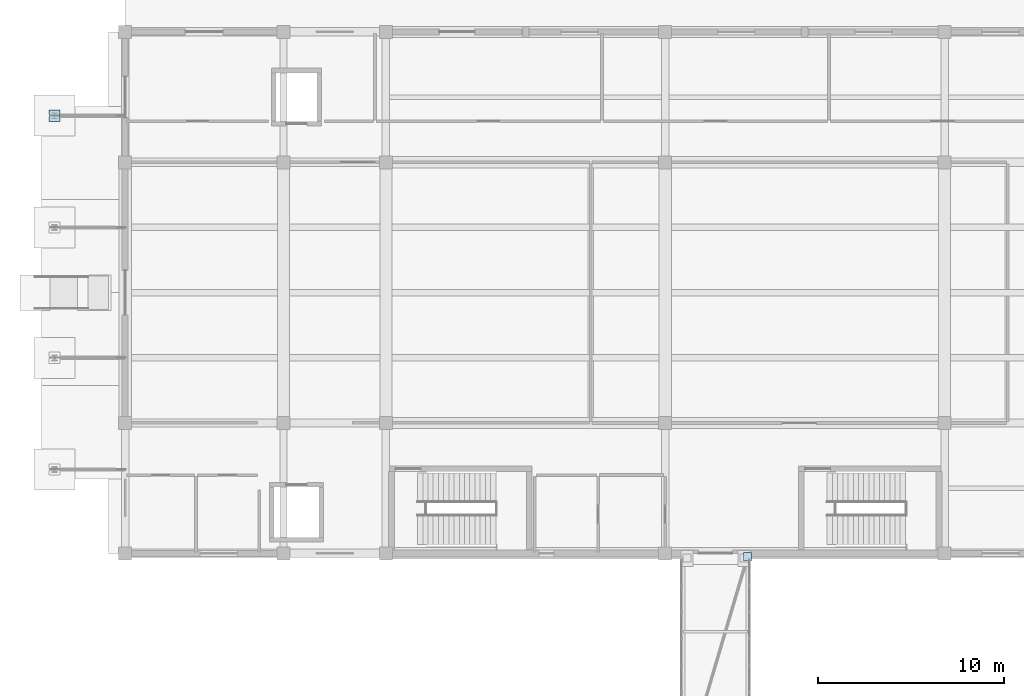
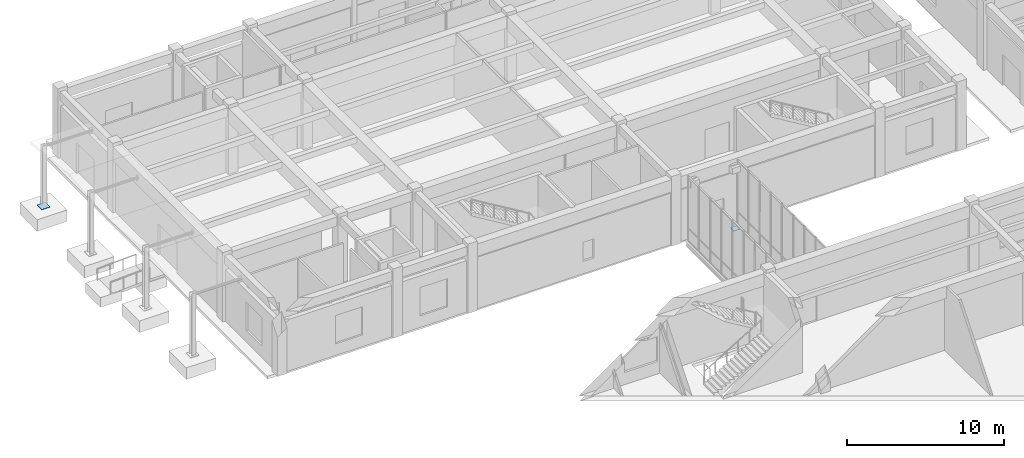
# One storey, part 16 of 40: 2 plates.
"""IFC4 building model written with IfcOpenShell, lengths in metres."""

from ifc_helpers import new_model, si_unit, direction, frame, origin, origin_2d, place, context, subcontext, project, spatial, rectangle, extrude, material, layer, layer_set, type_object, element, save


model = new_model("IFC4")

# Units and contexts
model_context = context("Model", 3, precision=1e-05, world=origin(), true_north=direction((0.0, 1.0)))
body_context = subcontext(model_context, "Body", "Model", "MODEL_VIEW")
ifc_project = project(units=[si_unit("LENGTHUNIT", "METRE"), si_unit("AREAUNIT", "SQUARE_METRE"), si_unit("VOLUMEUNIT", "CUBIC_METRE"), si_unit("PLANEANGLEUNIT", "RADIAN"), si_unit("MASSUNIT", "GRAM", prefix="KILO")], contexts=[model_context])

# Site, building, storey
site_placement = place(None, origin())
site = spatial("IfcSite", under=ifc_project, at=site_placement, CompositionType="ELEMENT")
building_placement = place(site_placement, origin())
building = spatial("IfcBuilding", under=site, at=building_placement, Name="Naurynzar Civic Courthouse", CompositionType="ELEMENT")
storey_placement = place(building_placement, origin())
storey = spatial("IfcBuildingStorey", under=building, at=storey_placement, Name="L01", CompositionType="ELEMENT", Elevation=0.0)

# Plates
ifc_material_1 = material(Name="Steel S355", Category="steel")
ifc_layer_1 = layer(ifc_material_1, 0.030029296875)
ifc_layer_set_1 = layer_set([ifc_layer_1], Name="PLT-BASE-600x600x30")
plate_type_1 = type_object("IfcPlateType", Name="PLT-BASE-600x600x30", PredefinedType="USERDEFINED", material=ifc_layer_set_1)
plate_1_placement = place(storey_placement, frame((2.199951171875, 67.5, 0.0), z_axis=(0.0, 0.0, 1.0), x_axis=(1.0, 0.0, 0.0)))
element("IfcPlate", 1, at=plate_1_placement, inside=storey, type_object=plate_type_1, Name="West canopy column base plate 4", ObjectType="BASE PLATE", PredefinedType="USERDEFINED", context=body_context, shape_type="SweptSolid", body=[
    extrude(rectangle(XDim=0.60009765625, YDim=0.60009765625, at=origin_2d()), origin(), (0.0, 0.0, 1.0), 0.030029296875),
])
ifc_material_2 = material(Name="Steel S355", Category="steel")
ifc_layer_2 = layer(ifc_material_2, 0.02001953125)
ifc_layer_set_2 = layer_set([ifc_layer_2], Name="PLT-GUSSET-450x450x20")
plate_type_2 = type_object("IfcPlateType", Name="PLT-GUSSET-450x450x20", PredefinedType="USERDEFINED", material=ifc_layer_set_2)
plate_2_placement = place(storey_placement, frame((39.419921875, 43.820068359375, -0.4150390625), z_axis=(0.0, 0.0, 1.0), x_axis=(1.0, 0.0, 0.0)))
element("IfcPlate", 2, at=plate_2_placement, inside=storey, type_object=plate_type_2, Name="BR-W1 wind brace gusset plate L01.2", ObjectType="GUSSET PLATE", PredefinedType="USERDEFINED", context=body_context, shape_type="SweptSolid", body=[
    extrude(rectangle(XDim=0.449951171875, YDim=0.449951171875, at=origin_2d()), origin(), (0.0, 0.0, 1.0), 0.02001953125),
])

save(model, "model.ifc")
